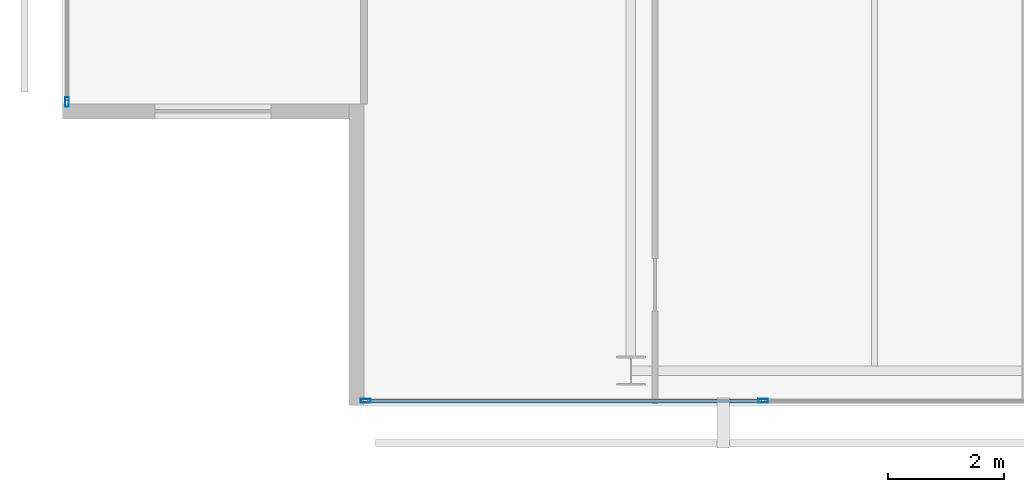
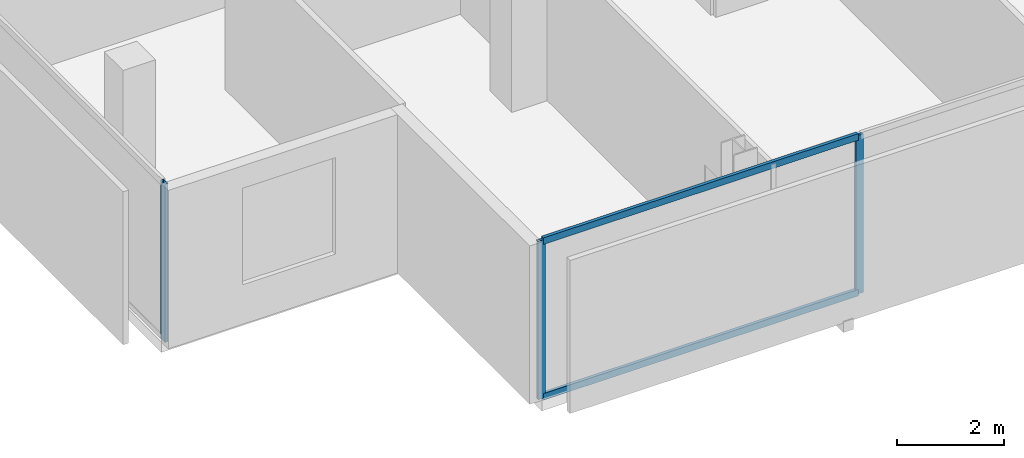
# One storey, part 2 of 25: 5 members, 2 elements without a shape of their own.
"""IFC4 building model written with IfcOpenShell, lengths in metres."""

from ifc_helpers import new_model, si_unit, direction, frame, origin, origin_2d, place, context, subcontext, project, spatial, hollow_rectangle, extrude, material, layer, layer_set, material_profile, profile_set, type_object, element, aggregate, save


model = new_model("IFC4")

# Units and contexts
model_context = context("Model", 3, precision=1e-05, world=origin(), true_north=direction((0.0, 1.0)))
body_context = subcontext(model_context, "Body", "Model", "MODEL_VIEW")
ifc_project = project(units=[si_unit("LENGTHUNIT", "METRE"), si_unit("AREAUNIT", "SQUARE_METRE"), si_unit("VOLUMEUNIT", "CUBIC_METRE"), si_unit("PLANEANGLEUNIT", "RADIAN"), si_unit("MASSUNIT", "GRAM", prefix="KILO")], contexts=[model_context])

# Site, building, storey
site_placement = place(None, origin())
site = spatial("IfcSite", under=ifc_project, at=site_placement, CompositionType="ELEMENT")
building_placement = place(site_placement, origin())
building = spatial("IfcBuilding", under=site, at=building_placement, Name="Maruvema Waterfront Hotel and Observation Tower", CompositionType="ELEMENT")
storey_placement = place(building_placement, frame((0.0, 0.0, 304.85009765625)))
storey = spatial("IfcBuildingStorey", under=building, at=storey_placement, Name="L75", CompositionType="ELEMENT", Elevation=304.85009765625)

# Curtain wall, members
ifc_material_1 = material(Name="Anodised bronze aluminium and solar-control low-E IGU", Category="aluminium")
ifc_layer = layer(ifc_material_1, 0.159912109375, Name="Zone 3 Champagne Inner Thermal Curtain Wall System CW-04")
ifc_layer_set = layer_set([ifc_layer], Name="Anodised bronze aluminium and solar-control low-E IGU")
curtain_wall_type = type_object("IfcCurtainWallType", Name="Zone 3 Champagne Inner Thermal Curtain Wall System CW-04", PredefinedType="USERDEFINED", material=ifc_layer_set)
curtain_wall_1_placement = place(storey_placement, origin())
curtain_wall_1 = element("IfcCurtainWall", 1, at=curtain_wall_1_placement, inside=storey, type_object=curtain_wall_type, Name="L75 Curtain Wall CW-L75-S", ObjectType="UNITISED CURTAIN WALL", PredefinedType="USERDEFINED")
ifc_material_2 = material(Name="Anodised architectural bronze aluminium", Category="aluminium")
ifc_material_profile_1 = material_profile(ifc_material_2, hollow_rectangle(XDim=0.070068359375, YDim=0.14990234375, WallThickness=0.00390625, at=origin_2d()), Name="ALU-T70x150")
ifc_profile_set_1 = profile_set([ifc_material_profile_1], Name="Anodised architectural bronze aluminium")
member_type_1 = type_object("IfcMemberType", Name="Curtain Wall Horizontal Transom ALU-T70x150", PredefinedType="USERDEFINED", material=ifc_profile_set_1)
member_1_placement = place(storey_placement, frame((20.659912109375, 9.280029296875, 0.02978515625), z_axis=(1.0, 0.0, 0.0), x_axis=(0.0, 1.0, 0.0)))
member_1 = element("IfcMember", 2, at=member_1_placement, type_object=member_type_1, Name="CW-04 transom 1.1", ObjectType="TRANSOM", PredefinedType="USERDEFINED", context=body_context, shape_type="SweptSolid", body=[
    extrude(hollow_rectangle(XDim=0.070068359375, YDim=0.14990234375, WallThickness=0.00390625, at=origin_2d()), origin(), (0.0, 0.0, 1.0), 6.7900390625),
])
member_2_placement = place(storey_placement, frame((20.659912109375, 9.280029296875, 3.579833984375), z_axis=(1.0, 0.0, 0.0), x_axis=(0.0, 1.0, 0.0)))
member_2 = element("IfcMember", 3, at=member_2_placement, type_object=member_type_1, Name="CW-04 transom 1.2", ObjectType="TRANSOM", PredefinedType="USERDEFINED", context=body_context, shape_type="SweptSolid", body=[
    extrude(hollow_rectangle(XDim=0.070068359375, YDim=0.14990234375, WallThickness=0.00390625, at=origin_2d()), origin(), (0.0, 0.0, 1.0), 6.7900390625),
])
ifc_material_3 = material(Name="Anodised architectural bronze aluminium", Category="aluminium")
ifc_material_profile_2 = material_profile(ifc_material_3, hollow_rectangle(XDim=0.06494140625, YDim=0.1650390625, WallThickness=0.00390625, at=origin_2d()), Name="ALU-M65x165")
ifc_profile_set_2 = profile_set([ifc_material_profile_2], Name="Anodised architectural bronze aluminium")
member_type_2 = type_object("IfcMemberType", Name="Curtain Wall Primary Mullion ALU-M65x165", PredefinedType="MULLION", material=ifc_profile_set_2)
member_3_placement = place(storey_placement, frame((20.6298828125, 9.280029296875, 0.0), z_axis=(0.0, 0.0, 1.0), x_axis=(0.0, 1.0, 0.0)))
member_3 = element("IfcMember", 4, at=member_3_placement, type_object=member_type_2, Name="CW-04 mullion 1", PredefinedType="MULLION", context=body_context, shape_type="SweptSolid", body=[
    extrude(hollow_rectangle(XDim=0.06494140625, YDim=0.1650390625, WallThickness=0.00390625, at=origin_2d()), origin(), (0.0, 0.0, 1.0), 3.60986328125),
])
member_4_placement = place(storey_placement, frame((27.47998046875, 9.280029296875, 0.0), z_axis=(0.0, 0.0, 1.0), x_axis=(0.0, 1.0, 0.0)))
member_4 = element("IfcMember", 5, at=member_4_placement, type_object=member_type_2, Name="CW-04 mullion 2", PredefinedType="MULLION", context=body_context, shape_type="SweptSolid", body=[
    extrude(hollow_rectangle(XDim=0.06494140625, YDim=0.1650390625, WallThickness=0.00390625, at=origin_2d()), origin(), (0.0, 0.0, 1.0), 3.60986328125),
])
aggregate(curtain_wall_1, [member_3, member_4, member_1, member_2])

# Curtain wall, member
curtain_wall_2_placement = place(storey_placement, origin())
curtain_wall_2 = element("IfcCurtainWall", 6, at=curtain_wall_2_placement, inside=storey, type_object=curtain_wall_type, Name="L75 Curtain Wall CW-L75-W", ObjectType="UNITISED CURTAIN WALL", PredefinedType="USERDEFINED")
member_5_placement = place(storey_placement, frame((15.47998046875, 14.429931640625, 0.0), z_axis=(0.0, 0.0, 1.0), x_axis=(1.0, 0.0, 0.0)))
member_5 = element("IfcMember", 7, at=member_5_placement, type_object=member_type_2, Name="CW-04 mullion 6", PredefinedType="MULLION", context=body_context, shape_type="SweptSolid", body=[
    extrude(hollow_rectangle(XDim=0.06494140625, YDim=0.1650390625, WallThickness=0.00390625, at=origin_2d()), origin(), (0.0, 0.0, 1.0), 3.60986328125),
])
aggregate(curtain_wall_2, [member_5])

save(model, "model.ifc")
